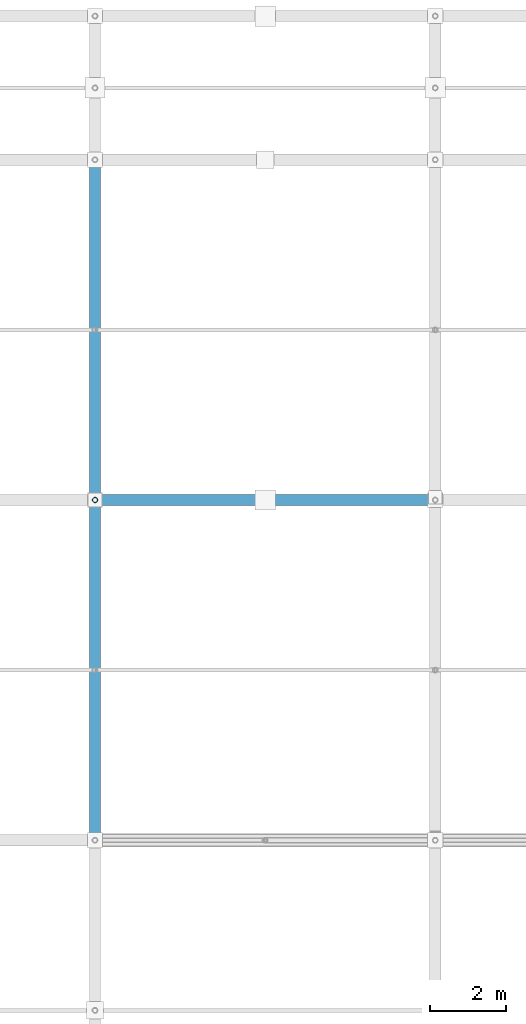
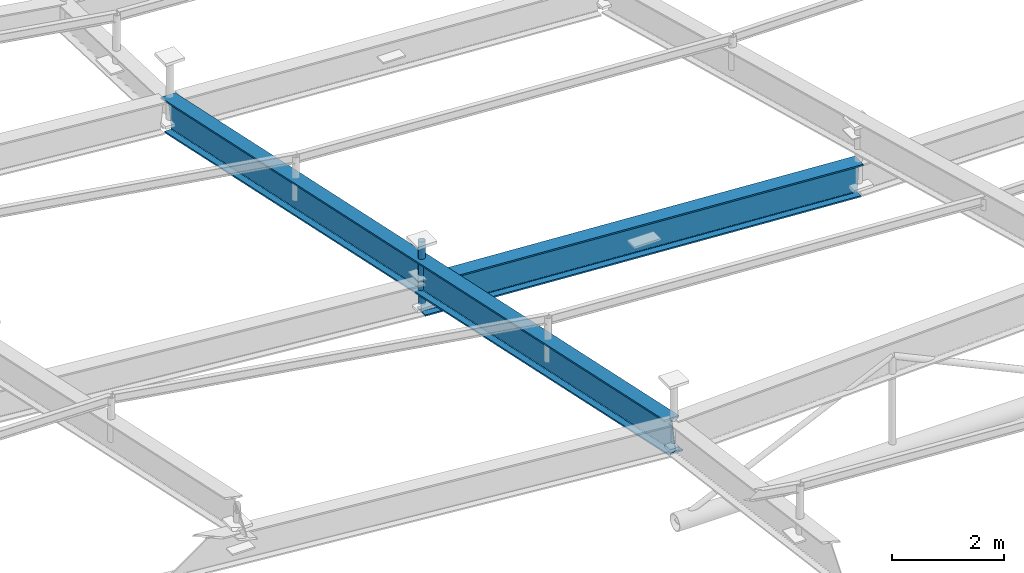
# One storey, part 35 of 80: 2 beams, 1 member.
"""IFC4 building model written with IfcOpenShell, lengths in metres."""

from ifc_helpers import new_model, si_unit, direction, frame, origin, origin_2d, place, context, subcontext, project, spatial, hollow_circle, i_section, extrude, material, material_profile, profile_set, type_object, element, save


model = new_model("IFC4")

# Units and contexts
model_context = context("Model", 3, precision=1e-05, world=origin(), true_north=direction((0.0, 1.0)))
body_context = subcontext(model_context, "Body", "Model", "MODEL_VIEW")
ifc_project = project(units=[si_unit("LENGTHUNIT", "METRE"), si_unit("AREAUNIT", "SQUARE_METRE"), si_unit("VOLUMEUNIT", "CUBIC_METRE"), si_unit("PLANEANGLEUNIT", "RADIAN"), si_unit("MASSUNIT", "GRAM", prefix="KILO")], contexts=[model_context])

# Site, building, storey
site_placement = place(None, origin())
site = spatial("IfcSite", under=ifc_project, at=site_placement, CompositionType="ELEMENT")
building_placement = place(site_placement, origin())
building = spatial("IfcBuilding", under=site, at=building_placement, Name="Barlavento Convention Centre", CompositionType="ELEMENT")
storey_placement = place(building_placement, frame((0.0, 0.0, 29.800048828125)))
storey = spatial("IfcBuildingStorey", under=building, at=storey_placement, Name="RF", CompositionType="ELEMENT", Elevation=29.800048828125)

# Beams
ifc_material_1 = material(Name="Steel S460", Category="steel")
ifc_material_profile_1 = material_profile(ifc_material_1, i_section(OverallWidth=0.300048828125, OverallDepth=0.699951171875, WebThickness=0.01708984375, FlangeThickness=0.031982421875, FilletRadius=0.027099609375, at=origin_2d()), Name="HEB 700")
ifc_profile_set_1 = profile_set([ifc_material_profile_1], Name="Steel S460")
beam_type = type_object("IfcBeamType", Name="STR-BM-TRUSS-TOP-HEB700", PredefinedType="BEAM", material=ifc_profile_set_1)
beam_1_placement = place(storey_placement, frame((18.0048828125, 45.0, -4.8564453125), z_axis=(0.998176275641, 0.0, -0.060366569787), x_axis=(0.0, 1.0, 0.0)))
element("IfcBeam", 1, at=beam_1_placement, inside=storey, type_object=beam_type, Name="Congress roof truss space frame chord", PredefinedType="BEAM", context=body_context, shape_type="SweptSolid", body=[
    extrude(i_section(OverallWidth=0.300048828125, OverallDepth=0.699951171875, WebThickness=0.01708984375, FlangeThickness=0.031982421875, FilletRadius=0.027099609375, at=origin_2d()), origin(), (0.0, 0.0, 1.0), 9.006591796875),
])
beam_2_placement = place(storey_placement, frame((18.0, 36.0048828125, -2.442138671875), z_axis=(0.0, 0.977577033696, -0.210578116598), x_axis=(-1.0, 0.0, 0.0)))
element("IfcBeam", 2, at=beam_2_placement, inside=storey, type_object=beam_type, Name="Congress roof truss space frame chord", PredefinedType="BEAM", context=body_context, shape_type="SweptSolid", body=[
    extrude(i_section(OverallWidth=0.300048828125, OverallDepth=0.699951171875, WebThickness=0.01708984375, FlangeThickness=0.031982421875, FilletRadius=0.027099609375, at=origin_2d()), origin(), (0.0, 0.0, 1.0), 18.40283203125),
])

# Member
ifc_material_2 = material(Name="Steel S355", Category="steel")
ifc_material_profile_2 = material_profile(ifc_material_2, hollow_circle(Radius=0.06982421875, WallThickness=0.008056640625, at=origin_2d()), Name="CHS 139.7x8.0")
ifc_profile_set_2 = profile_set([ifc_material_profile_2], Name="Steel S355")
member_type = type_object("IfcMemberType", Name="STR-MEM-DIAG-CHS139", PredefinedType="BRACE", material=ifc_profile_set_2)
member_placement = place(storey_placement, frame((18.0, 45.0, -5.00634765625), z_axis=(0.0, 0.0, 1.0), x_axis=(1.0, 0.0, 0.0)))
element("IfcMember", 3, at=member_placement, inside=storey, type_object=member_type, Name="Congress space frame vertical node post TD04", PredefinedType="BRACE", context=body_context, shape_type="SweptSolid", body=[
    extrude(hollow_circle(Radius=0.06982421875, WallThickness=0.008056640625, at=origin_2d()), origin(), (0.0, 0.0, 1.0), 1.3701171875),
])

save(model, "model.ifc")
